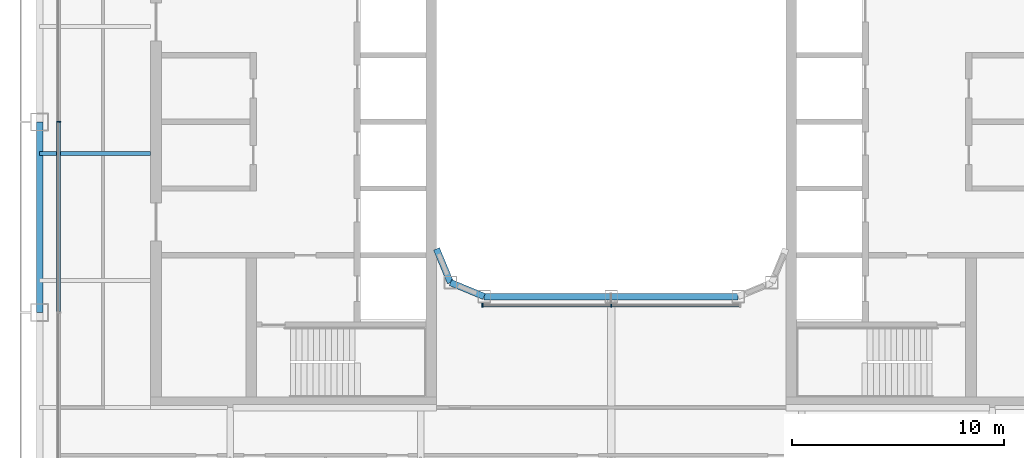
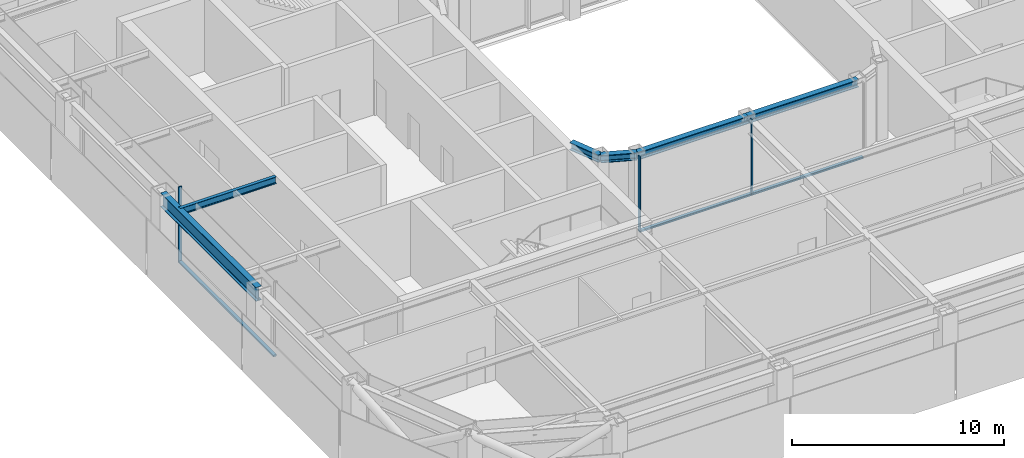
# One storey, part 3 of 23: 6 beams, 6 members, 2 elements without a shape of their own.
"""IFC4 building model written with IfcOpenShell, lengths in metres."""

import ifcopenshell
import ifcopenshell.guid

model = None  # the IFC model being written
_history = None  # IfcOwnerHistory: only IFC2X3 demands one
_inside = {}  # id of a spatial element -> (the spatial element, [elements in it])
_under = {}  # id of a project, library or spatial element -> (it, [spatial elements below it])
_declared = {}  # id of a project -> (the project, [libraries it declares])
_typed = {}  # id of a type object -> (the type object, [elements of that type])
_made_of = {}  # id of a material, layer set ... -> (it, [elements and type objects made of it])


def new_model(schema):
    """Start an empty IFC model of exactly this schema.

    Asked for "IFC4X3", IfcOpenShell would pick the latest addendum, in which some entities
    have other attributes; the version numbers below select the first issue.
    IFC2X3 requires an IfcOwnerHistory on every rooted entity: one is made here for all.
    """
    global model, _history
    if schema == "IFC4X3":
        model = ifcopenshell.file(schema_version=(4, 3, 0, 0))
    else:
        model = ifcopenshell.file(schema=schema)
    _inside.clear()
    _under.clear()
    _declared.clear()
    _typed.clear()
    _made_of.clear()
    _history = None
    if model.schema == "IFC2X3":
        org = make("IfcOrganization", Name="unknown")
        user = make(
            "IfcPersonAndOrganization",
            ThePerson=make("IfcPerson", FamilyName="unknown"),
            TheOrganization=org,
        )
        app = make(
            "IfcApplication",
            ApplicationDeveloper=org,
            Version="unknown",
            ApplicationFullName="unknown",
            ApplicationIdentifier="unknown",
        )
        _history = make(
            "IfcOwnerHistory",
            OwningUser=user,
            OwningApplication=app,
            ChangeAction="ADDED",
            CreationDate=0,
        )
    return model


def make(cls, **values):
    """One entity of the class cls with the attributes given. An attribute that is None is left unset."""
    return model.create_entity(
        cls, **{name: value for name, value in values.items() if value is not None}
    )


def rooted(cls, **values):
    """An entity with a GlobalId (a new one), such as an element, a storey or a relation."""
    return make(cls, GlobalId=ifcopenshell.guid.new(), OwnerHistory=_history, **values)


def si_unit(unit_type, name, prefix=None):
    """IfcSIUnit, for example si_unit("LENGTHUNIT", "METRE", prefix="MILLI")."""
    return make("IfcSIUnit", UnitType=unit_type, Prefix=prefix, Name=name)


def assignment(units):
    """IfcUnitAssignment: the units of a project."""
    return None if units is None else make("IfcUnitAssignment", Units=units)


def point(xyz):
    """IfcCartesianPoint."""
    return None if xyz is None else make("IfcCartesianPoint", Coordinates=xyz)


def direction(xyz):
    """IfcDirection."""
    return None if xyz is None else make("IfcDirection", DirectionRatios=xyz)


def frame(location, z_axis=None, x_axis=None):
    """IfcAxis2Placement3D, a coordinate frame: its origin and axes. An axis left out is left unset."""
    return make(
        "IfcAxis2Placement3D",
        Location=point(location),
        Axis=direction(z_axis),
        RefDirection=direction(x_axis),
    )


def frame_2d(location, x_axis=None):
    """IfcAxis2Placement2D, a coordinate frame in the plane: its origin and x axis."""
    return make(
        "IfcAxis2Placement2D", Location=point(location), RefDirection=direction(x_axis)
    )


def origin():
    """The frame at (0, 0, 0) with its axes left unset."""
    return frame((0.0, 0.0, 0.0))


def origin_2d():
    """The frame at (0, 0) in the plane with its x axis left unset."""
    return frame_2d((0.0, 0.0))


def place(relative_to, where):
    """IfcLocalPlacement: puts the frame where relative to a parent placement (None: the world)."""
    return make(
        "IfcLocalPlacement", PlacementRelTo=relative_to, RelativePlacement=where
    )


def context(
    kind, dimensions, precision=None, world=None, true_north=None, identifier=None
):
    """IfcGeometricRepresentationContext, for example the 3D "Model" context."""
    return make(
        "IfcGeometricRepresentationContext",
        ContextIdentifier=identifier,
        ContextType=kind,
        CoordinateSpaceDimension=dimensions,
        Precision=precision,
        WorldCoordinateSystem=world,
        TrueNorth=true_north,
    )


def subcontext(parent, identifier, kind, view, scale=None):
    """IfcGeometricRepresentationSubContext, for example "Body" below "Model"."""
    return make(
        "IfcGeometricRepresentationSubContext",
        ContextIdentifier=identifier,
        ContextType=kind,
        ParentContext=parent,
        TargetScale=scale,
        TargetView=view,
    )


def project(units=None, contexts=None):
    """IfcProject with its units and contexts."""
    return rooted(
        "IfcProject",
        Name="project",
        RepresentationContexts=contexts,
        UnitsInContext=assignment(units),
    )


def spatial(cls, under=None, at=None, **own):
    """A site, building, storey or space (cls), placed at a placement, below another one or the project."""
    s = rooted(cls, ObjectPlacement=at, **own)
    if under is not None:
        _under.setdefault(under.id(), (under, []))[1].append(s)
    return s


def profile(cls, at=None, kind="AREA", **sizes):
    """A parametric profile (cls). Its sizes go by their IFC names, for example OverallWidth=200.0."""
    return make(cls, ProfileType=kind, Position=at, **sizes)


def rectangle(**sizes):
    """IfcRectangleProfileDef."""
    return profile("IfcRectangleProfileDef", **sizes)


def i_section(**sizes):
    """IfcIShapeProfileDef."""
    return profile("IfcIShapeProfileDef", **sizes)


def extrude(swept, where, along, depth):
    """IfcExtrudedAreaSolid: the profile swept, set in the frame where, extruded along a direction by depth."""
    return make(
        "IfcExtrudedAreaSolid",
        SweptArea=swept,
        Position=where,
        ExtrudedDirection=direction(along),
        Depth=depth,
    )


def shape(context_of_items, identifier, shape_type, items):
    """IfcShapeRepresentation: the items that make up one representation, for example the "Body"."""
    return make(
        "IfcShapeRepresentation",
        ContextOfItems=context_of_items,
        RepresentationIdentifier=identifier,
        RepresentationType=shape_type,
        Items=items,
    )


def material(Name=None, Category=None):
    """IfcMaterial."""
    return make("IfcMaterial", Name=Name, Category=Category)


def layer(
    of_material, thickness, ventilated=None, Name=None, Category=None, Priority=None
):
    """IfcMaterialLayer: one layer of a wall or slab, of a material (None: an air gap)."""
    return make(
        "IfcMaterialLayer",
        Material=of_material,
        LayerThickness=thickness,
        IsVentilated=ventilated,
        Name=Name,
        Category=Category,
        Priority=Priority,
    )


def layer_set(layers, Name=None):
    """IfcMaterialLayerSet."""
    return make("IfcMaterialLayerSet", MaterialLayers=layers, LayerSetName=Name)


def material_profile(
    of_material, cross_section, Name=None, Category=None, Priority=None
):
    """IfcMaterialProfile: a cross section and its material."""
    return make(
        "IfcMaterialProfile",
        Name=Name,
        Material=of_material,
        Profile=cross_section,
        Priority=Priority,
        Category=Category,
    )


def profile_set(profiles, Name=None, composite=None):
    """IfcMaterialProfileSet."""
    return make(
        "IfcMaterialProfileSet",
        Name=Name,
        MaterialProfiles=profiles,
        CompositeProfile=composite,
    )


def made_of(thing, what):
    """Note that an element or type object is made of a material, layer set ...; save() writes the relation."""
    if what is not None:
        _made_of.setdefault(what.id(), (what, []))[1].append(thing)
    return thing


def type_object(cls, material=None, **own):
    """A type object (cls), such as IfcWallType, which elements share."""
    return made_of(rooted(cls, **own), material)


def element(
    cls,
    number,
    at=None,
    inside=None,
    cuts=None,
    type_object=None,
    material=None,
    context=None,
    identifier="Body",
    shape_type=None,
    held_by="IfcProductDefinitionShape",
    body=None,
    shapes=None,
    **own,
):
    """One element of the class cls, such as IfcWall. Its Tag is "e" and its number.

    at: its placement. inside: the storey or other place that contains it. cuts: it is an
    opening in that element (IfcRelVoidsElement). A single representation is given by context,
    identifier, shape_type and body (its items); several are given by shapes. held_by: the class
    of the entity that holds the representations. save() writes the other relations.
    """
    e = rooted(cls, Tag="e%d" % number, ObjectPlacement=at, **own)
    if body is not None:
        shapes = [shape(context, identifier, shape_type, body)]
    if shapes is not None:
        e.Representation = make(held_by, Representations=shapes)
    if inside is not None:
        _inside.setdefault(inside.id(), (inside, []))[1].append(e)
    if cuts is not None:
        rooted(
            "IfcRelVoidsElement", RelatingBuildingElement=cuts, RelatedOpeningElement=e
        )
    if type_object is not None:
        _typed.setdefault(type_object.id(), (type_object, []))[1].append(e)
    return made_of(e, material)


def aggregate(whole, parts):
    """IfcRelAggregates: a whole, such as a stair, and the parts it consists of."""
    return rooted("IfcRelAggregates", RelatingObject=whole, RelatedObjects=parts)


def save(model, path):
    """Write the relations noted so far, then the file.

    IfcRelAggregates (storeys below a building ...), IfcRelContainedInSpatialStructure (elements
    in a storey), IfcRelDefinesByType, IfcRelAssociatesMaterial and IfcRelDeclares: one each for
    every whole, place, type object, material and project.
    """
    for whole, parts in _under.values():
        aggregate(whole, parts)
    for where, things in _inside.values():
        rooted(
            "IfcRelContainedInSpatialStructure",
            RelatedElements=things,
            RelatingStructure=where,
        )
    for kind, things in _typed.values():
        rooted("IfcRelDefinesByType", RelatedObjects=things, RelatingType=kind)
    for what, things in _made_of.values():
        rooted("IfcRelAssociatesMaterial", RelatedObjects=things, RelatingMaterial=what)
    for by, libraries in _declared.values():
        rooted("IfcRelDeclares", RelatingContext=by, RelatedDefinitions=libraries)
    model.write(path)


model = new_model("IFC4")

# Units and contexts
model_context = context("Model", 3, precision=1e-05, world=origin(), true_north=direction((0.0, 1.0)))
body_context = subcontext(model_context, "Body", "Model", "MODEL_VIEW")
ifc_project = project(units=[si_unit("LENGTHUNIT", "METRE"), si_unit("AREAUNIT", "SQUARE_METRE"), si_unit("VOLUMEUNIT", "CUBIC_METRE"), si_unit("PLANEANGLEUNIT", "RADIAN"), si_unit("MASSUNIT", "GRAM", prefix="KILO")], contexts=[model_context])

# Site, building, storey
site_placement = place(None, origin())
site = spatial("IfcSite", under=ifc_project, at=site_placement, CompositionType="ELEMENT")
building_placement = place(site_placement, origin())
building = spatial("IfcBuilding", under=site, at=building_placement, Name="Siwar Civic Tower", CompositionType="ELEMENT")
storey_placement = place(building_placement, frame((0.0, 0.0, 224.199951171875)))
storey = spatial("IfcBuildingStorey", under=building, at=storey_placement, Name="L48", CompositionType="ELEMENT", Elevation=224.199951171875)

# Curtain wall, member
ifc_material_1 = material(Name="Aluminium and glass", Category="aluminium")
ifc_layer_1 = layer(ifc_material_1, 0.179931640625)
ifc_layer_set_1 = layer_set([ifc_layer_1], Name="Aluminium and glass")
curtain_wall_type_1 = type_object("IfcCurtainWallType", Name="ENV-CW-C", PredefinedType="NOTDEFINED", material=ifc_layer_set_1)
curtain_wall_1_placement = place(storey_placement, origin())
curtain_wall_1 = element("IfcCurtainWall", 1, at=curtain_wall_1_placement, inside=storey, type_object=curtain_wall_type_1, Name="Curtain wall C W", PredefinedType="NOTDEFINED")
ifc_material_2 = material(Name="Aluminium 6063-T6", Category="aluminium")
ifc_material_profile_1 = material_profile(ifc_material_2, rectangle(XDim=0.179931640625, YDim=0.06005859375, at=origin_2d()), Name="AL 180x60")
ifc_profile_set_1 = profile_set([ifc_material_profile_1], Name="Aluminium 6063-T6")
member_type_1 = type_object("IfcMemberType", Name="ENV-MULLION-C", PredefinedType="MULLION", material=ifc_profile_set_1)
member_1_placement = place(storey_placement, frame((-26.10009765625, 0.0, 0.0), z_axis=(0.0, 0.0, 1.0), x_axis=(1.0, 0.0, 0.0)))
member_1 = element("IfcMember", 2, at=member_1_placement, type_object=member_type_1, Name="Mullion C W 3", PredefinedType="MULLION", context=body_context, shape_type="SweptSolid", body=[
    extrude(rectangle(XDim=0.179931640625, YDim=0.06005859375, at=origin_2d()), origin(), (0.0, 0.0, 1.0), 4.35009765625),
])

# Curtain wall, members
ifc_material_3 = material(Name="Aluminium and glass", Category="aluminium")
ifc_layer_2 = layer(ifc_material_3, 0.179931640625)
ifc_layer_set_2 = layer_set([ifc_layer_2], Name="Aluminium and glass")
curtain_wall_type_2 = type_object("IfcCurtainWallType", Name="ENV-CW-W", PredefinedType="NOTDEFINED", material=ifc_layer_set_2)
curtain_wall_2_placement = place(storey_placement, origin())
curtain_wall_2 = element("IfcCurtainWall", 3, at=curtain_wall_2_placement, inside=storey, type_object=curtain_wall_type_2, Name="Curtain wall W WS", PredefinedType="NOTDEFINED")
ifc_material_4 = material(Name="Aluminium 6063-T6", Category="aluminium")
ifc_material_profile_2 = material_profile(ifc_material_4, rectangle(XDim=0.179931640625, YDim=0.06005859375, at=origin_2d()), Name="AL 180x60")
ifc_profile_set_2 = profile_set([ifc_material_profile_2], Name="Aluminium 6063-T6")
member_type_2 = type_object("IfcMemberType", Name="ENV-MULLION-W", PredefinedType="MULLION", material=ifc_profile_set_2)
member_2_placement = place(storey_placement, frame((-6.08154296875, -8.659912109375, 0.0), z_axis=(0.0, 0.0, 1.0), x_axis=(0.0, 1.0, 0.0)))
member_2 = element("IfcMember", 4, at=member_2_placement, type_object=member_type_2, Name="Mullion W WS 1", PredefinedType="MULLION", context=body_context, shape_type="SweptSolid", body=[
    extrude(rectangle(XDim=0.179931640625, YDim=0.06005859375, at=origin_2d()), origin(), (0.0, 0.0, 1.0), 4.35009765625),
])
member_3_placement = place(storey_placement, frame((0.0, -8.659912109375, 0.0), z_axis=(0.0, 0.0, 1.0), x_axis=(0.0, 1.0, 0.0)))
member_3 = element("IfcMember", 5, at=member_3_placement, type_object=member_type_2, Name="Mullion W WS 2", PredefinedType="MULLION", context=body_context, shape_type="SweptSolid", body=[
    extrude(rectangle(XDim=0.179931640625, YDim=0.06005859375, at=origin_2d()), origin(), (0.0, 0.0, 1.0), 4.35009765625),
])

# Member
ifc_material_5 = material(Name="Aluminium 6063-T6", Category="aluminium")
ifc_material_profile_3 = material_profile(ifc_material_5, rectangle(XDim=0.179931640625, YDim=0.10009765625, at=origin_2d()), Name="AL 180x100")
ifc_profile_set_3 = profile_set([ifc_material_profile_3], Name="Aluminium 6063-T6")
member_type_3 = type_object("IfcMemberType", Name="ENV-TRANSOM-C", PredefinedType="USERDEFINED", material=ifc_profile_set_3)
member_4_placement = place(storey_placement, frame((-26.10009765625, -0.030029296875, 0.050048828125), z_axis=(0.0, -1.0, 0.0), x_axis=(1.0, 0.0, 0.0)))
member_4 = element("IfcMember", 6, at=member_4_placement, type_object=member_type_3, Name="Transom C W 3", ObjectType="TRANSOM", PredefinedType="USERDEFINED", context=body_context, shape_type="SweptSolid", body=[
    extrude(rectangle(XDim=0.179931640625, YDim=0.10009765625, at=origin_2d()), origin(), (0.0, 0.0, 1.0), 8.93994140625),
])

aggregate(curtain_wall_1, [member_1, member_4])

ifc_material_6 = material(Name="Aluminium 6063-T6", Category="aluminium")
ifc_material_profile_4 = material_profile(ifc_material_6, rectangle(XDim=0.179931640625, YDim=0.10009765625, at=origin_2d()), Name="AL 180x100")
ifc_profile_set_4 = profile_set([ifc_material_profile_4], Name="Aluminium 6063-T6")
member_type_4 = type_object("IfcMemberType", Name="ENV-TRANSOM-W", PredefinedType="USERDEFINED", material=ifc_profile_set_4)
member_5_placement = place(storey_placement, frame((-6.051513671875, -8.659912109375, 0.050048828125), z_axis=(1.0, 0.0, 0.0), x_axis=(0.0, 1.0, 0.0)))
member_5 = element("IfcMember", 7, at=member_5_placement, type_object=member_type_4, Name="Transom W WS 1", ObjectType="TRANSOM", PredefinedType="USERDEFINED", context=body_context, shape_type="SweptSolid", body=[
    extrude(rectangle(XDim=0.179931640625, YDim=0.10009765625, at=origin_2d()), origin(), (0.0, 0.0, 1.0), 6.021484375),
])

member_6_placement = place(storey_placement, frame((0.030029296875, -8.659912109375, 0.050048828125), z_axis=(1.0, 0.0, 0.0), x_axis=(0.0, 1.0, 0.0)))
member_6 = element("IfcMember", 8, at=member_6_placement, type_object=member_type_4, Name="Transom W WS 2", ObjectType="TRANSOM", PredefinedType="USERDEFINED", context=body_context, shape_type="SweptSolid", body=[
    extrude(rectangle(XDim=0.179931640625, YDim=0.10009765625, at=origin_2d()), origin(), (0.0, 0.0, 1.0), 6.021484375),
])

aggregate(curtain_wall_2, [member_2, member_3, member_5, member_6])

# Beams
ifc_material_7 = material(Name="Steel S355", Category="steel")
ifc_material_profile_5 = material_profile(ifc_material_7, i_section(OverallWidth=0.179931640625, OverallDepth=0.39990234375, WebThickness=0.008544921875, FlangeThickness=0.013427734375, FilletRadius=0.02099609375, at=origin_2d()), Name="IPE400")
ifc_profile_set_5 = profile_set([ifc_material_profile_5], Name="Steel S355")
beam_type_1 = type_object("IfcBeamType", Name="STR-FB-IPE400", PredefinedType="JOIST", material=ifc_profile_set_5)
beam_1_placement = place(storey_placement, frame((-27.0, -1.5, 4.150146484375), z_axis=(1.0, 0.0, 0.0), x_axis=(0.0, 1.0, 0.0)))
element("IfcBeam", 9, at=beam_1_placement, inside=storey, type_object=beam_type_1, Name="L48/bm/F023", PredefinedType="JOIST", context=body_context, shape_type="SweptSolid", body=[
    extrude(i_section(OverallWidth=0.179931640625, OverallDepth=0.39990234375, WebThickness=0.008544921875, FlangeThickness=0.013427734375, FilletRadius=0.02099609375, at=origin_2d()), origin(), (0.0, 0.0, 1.0), 5.25),
])
ifc_material_8 = material(Name="Steel S355", Category="steel")
ifc_material_profile_6 = material_profile(ifc_material_8, i_section(OverallWidth=0.306884765625, OverallDepth=0.431884765625, WebThickness=0.02099609375, FlangeThickness=0.0400390625, FilletRadius=0.027099609375, at=origin_2d()), Name="HEM400")
ifc_profile_set_6 = profile_set([ifc_material_profile_6], Name="Steel S355")
beam_type_2 = type_object("IfcBeamType", Name="STR-RB-HEM400", PredefinedType="BEAM", material=ifc_profile_set_6)
beam_2_placement = place(storey_placement, frame((-7.591064453125, -7.591064453125, 4.134033203125), z_axis=(0.923901072997, -0.382631424892, 0.0), x_axis=(0.382631424892, 0.923901072997, 0.0)))
element("IfcBeam", 10, at=beam_2_placement, inside=storey, type_object=beam_type_2, Name="L48/bm/RS0", PredefinedType="BEAM", context=body_context, shape_type="SweptSolid", body=[
    extrude(i_section(OverallWidth=0.306884765625, OverallDepth=0.431884765625, WebThickness=0.02099609375, FlangeThickness=0.0400390625, FilletRadius=0.027099609375, at=origin_2d()), origin(), (0.0, 0.0, 1.0), 1.72216796875),
])
for number, where, z_axis, x_axis, name in (
    (11, (-6.0, -8.25, 4.134033203125), (1.0, 0.0, 0.0), (0.0, 1.0, 0.0), "L48/bm/RS1"),
    (12, (0.0, -8.25, 4.134033203125), (1.0, 0.0, 0.0), (0.0, 1.0, 0.0), "L48/bm/RS2"),
):
    element("IfcBeam", number, at=place(storey_placement, frame(where, z_axis=z_axis, x_axis=x_axis)), inside=storey, type_object=beam_type_2, Name=name, PredefinedType="BEAM", context=body_context, shape_type="SweptSolid", body=[
        extrude(i_section(OverallWidth=0.306884765625, OverallDepth=0.431884765625, WebThickness=0.02099609375, FlangeThickness=0.0400390625, FilletRadius=0.027099609375, at=origin_2d()), origin(), (0.0, 0.0, 1.0), 6.0),
    ])
beam_3_placement = place(storey_placement, frame((-7.591064453125, -7.591064453125, 4.134033203125), z_axis=(-0.382631424892, 0.923901072997, 0.0), x_axis=(-0.923901072997, -0.382631424892, 0.0)))
element("IfcBeam", 13, at=beam_3_placement, inside=storey, type_object=beam_type_2, Name="L48/bm/RSEW", PredefinedType="BEAM", context=body_context, shape_type="SweptSolid", body=[
    extrude(i_section(OverallWidth=0.306884765625, OverallDepth=0.431884765625, WebThickness=0.02099609375, FlangeThickness=0.0400390625, FilletRadius=0.027099609375, at=origin_2d()), origin(), (0.0, 0.0, 1.0), 1.72216796875),
])
ifc_material_9 = material(Name="Steel S355", Category="steel")
ifc_material_profile_7 = material_profile(ifc_material_9, i_section(OverallWidth=0.300048828125, OverallDepth=0.800048828125, WebThickness=0.017578125, FlangeThickness=0.032958984375, FilletRadius=0.030029296875, at=origin_2d()), Name="HEB800")
ifc_profile_set_7 = profile_set([ifc_material_profile_7], Name="Steel S355")
beam_type_3 = type_object("IfcBeamType", Name="STR-SB-HEB800", PredefinedType="BEAM", material=ifc_profile_set_7)
beam_4_placement = place(storey_placement, frame((-27.0, 0.0, 3.949951171875), z_axis=(0.0, -1.0, 0.0), x_axis=(1.0, 0.0, 0.0)))
element("IfcBeam", 14, at=beam_4_placement, inside=storey, type_object=beam_type_3, Name="L48/bm/SW-2", PredefinedType="BEAM", context=body_context, shape_type="SweptSolid", body=[
    extrude(i_section(OverallWidth=0.300048828125, OverallDepth=0.800048828125, WebThickness=0.017578125, FlangeThickness=0.032958984375, FilletRadius=0.030029296875, at=origin_2d()), origin(), (0.0, 0.0, 1.0), 9.0),
])

save(model, "model.ifc")
